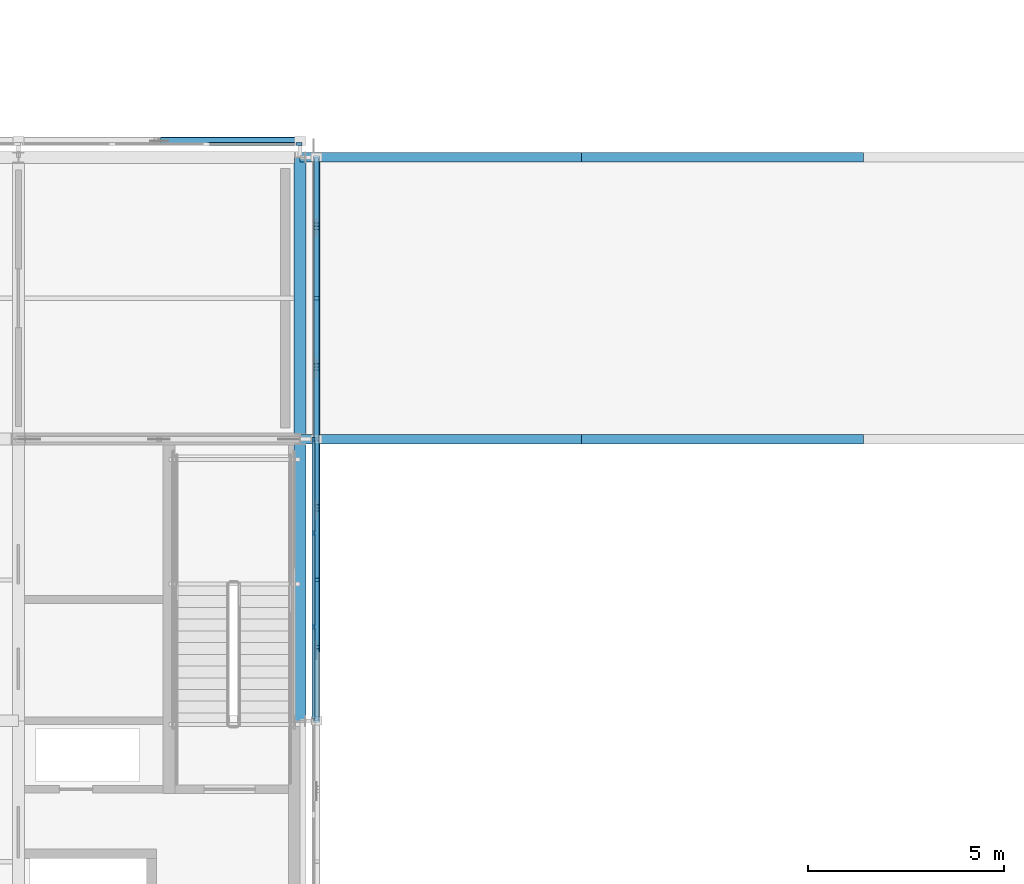
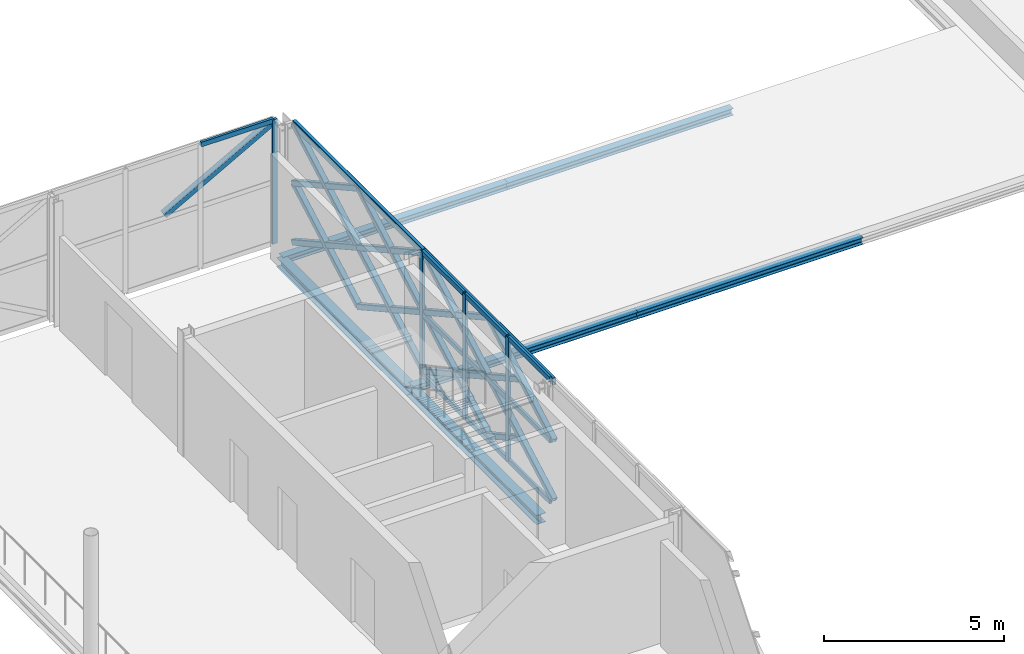
# One storey, part 42 of 103: 39 members, 6 beams, 2 elements without a shape of their own.
"""IFC4 building model written with IfcOpenShell, lengths in metres."""

from ifc_helpers import new_model, si_unit, direction, frame, origin, origin_2d, place, context, subcontext, project, spatial, rectangle, hollow_rectangle, i_section, extrude, material, material_profile, profile_set, type_object, element, aggregate, save


model = new_model("IFC4")

# Units and contexts
model_context = context("Model", 3, precision=1e-05, world=origin(), true_north=direction((0.0, 1.0)))
body_context = subcontext(model_context, "Body", "Model", "MODEL_VIEW")
ifc_project = project(units=[si_unit("LENGTHUNIT", "METRE"), si_unit("AREAUNIT", "SQUARE_METRE"), si_unit("VOLUMEUNIT", "CUBIC_METRE"), si_unit("PLANEANGLEUNIT", "RADIAN"), si_unit("MASSUNIT", "GRAM", prefix="KILO")], contexts=[model_context])

# Site, building, storey
site_placement = place(None, origin())
site = spatial("IfcSite", under=ifc_project, at=site_placement, CompositionType="ELEMENT")
building_placement = place(site_placement, origin())
building = spatial("IfcBuilding", under=site, at=building_placement, Name="Zlatovets Crest Museum", CompositionType="ELEMENT")
storey_placement = place(building_placement, frame((0.0, 0.0, 12.89990234375)))
storey = spatial("IfcBuildingStorey", under=building, at=storey_placement, Name="L03", CompositionType="ELEMENT", Elevation=12.89990234375)

# Beams
ifc_material_1 = material(Name="Structural steel S355J2", Category="steel")
ifc_material_profile_1 = material_profile(ifc_material_1, i_section(OverallWidth=0.300048828125, OverallDepth=0.31005859375, WebThickness=0.009033203125, FlangeThickness=0.015380859375, FilletRadius=0.027099609375, at=origin_2d()), Name="HEA 320")
ifc_profile_set_1 = profile_set([ifc_material_profile_1], Name="Structural steel S355J2")
beam_type_1 = type_object("IfcBeamType", Name="Beam_B-04", PredefinedType="BEAM", material=ifc_profile_set_1)
beam_1_placement = place(storey_placement, frame((108.0, 14.39990234375, -0.39501953125), z_axis=(0.0, 1.0, 0.0), x_axis=(-1.0, 0.0, 0.0)))
element("IfcBeam", 1, at=beam_1_placement, inside=storey, type_object=beam_type_1, Name="V2 L03 Grid Beam B-04", PredefinedType="BEAM", context=body_context, shape_type="SweptSolid", body=[
    extrude(i_section(OverallWidth=0.300048828125, OverallDepth=0.31005859375, WebThickness=0.009033203125, FlangeThickness=0.015380859375, FilletRadius=0.027099609375, at=origin_2d()), origin(), (0.0, 0.0, 1.0), 7.2001953125),
])
beam_2_placement = place(storey_placement, frame((108.0, 21.60009765625, -0.39501953125), z_axis=(0.0, 1.0, 0.0), x_axis=(-1.0, 0.0, 0.0)))
element("IfcBeam", 2, at=beam_2_placement, inside=storey, type_object=beam_type_1, Name="V2 L03 Grid Beam B-04", PredefinedType="BEAM", context=body_context, shape_type="SweptSolid", body=[
    extrude(i_section(OverallWidth=0.300048828125, OverallDepth=0.31005859375, WebThickness=0.009033203125, FlangeThickness=0.015380859375, FilletRadius=0.027099609375, at=origin_2d()), origin(), (0.0, 0.0, 1.0), 7.199951171875),
])
ifc_material_profile_2 = material_profile(ifc_material_1, i_section(OverallWidth=0.239990234375, OverallDepth=0.22998046875, WebThickness=0.007568359375, FlangeThickness=0.011962890625, FilletRadius=0.02099609375, at=origin_2d()), Name="HEA 240")
ifc_profile_set_2 = profile_set([ifc_material_profile_2], Name="Structural steel S355J2")
beam_type_2 = type_object("IfcBeamType", Name="Beam_B-06", PredefinedType="BEAM", material=ifc_profile_set_2)
for number, where, z_axis, x_axis, name in (
    (3, (108.0, 21.60009765625, -0.3349609375), (1.0, 0.0, 0.0), (0.0, 1.0, 0.0), "Southeast Archive Glazed Link Bridge Roof Edge Beam"),
    (4, (115.199951171875, 21.60009765625, -0.3349609375), (1.0, 0.0, 0.0), (0.0, 1.0, 0.0), "Southeast Archive Glazed Link Bridge Roof Edge Beam"),
    (5, (108.0, 28.800048828125, -0.3349609375), (1.0, 0.0, 0.0), (0.0, 1.0, 0.0), "Southeast Archive Glazed Link Bridge Roof Edge Beam"),
    (6, (115.199951171875, 28.800048828125, -0.3349609375), (1.0, 0.0, 0.0), (0.0, 1.0, 0.0), "Southeast Archive Glazed Link Bridge Roof Edge Beam"),
):
    element("IfcBeam", number, at=place(storey_placement, frame(where, z_axis=z_axis, x_axis=x_axis)), inside=storey, type_object=beam_type_2, Name=name, PredefinedType="BEAM", context=body_context, shape_type="SweptSolid", body=[
        extrude(i_section(OverallWidth=0.239990234375, OverallDepth=0.22998046875, WebThickness=0.007568359375, FlangeThickness=0.011962890625, FilletRadius=0.02099609375, at=origin_2d()), origin(), (0.0, 0.0, 1.0), 7.199951171875),
    ])

# Curtain wall, members
ifc_material_2 = material(Name="Bronze-anodised aluminium and low-E triple glass", Category="aluminium")
curtain_wall_type_1 = type_object("IfcCurtainWallType", Name="CW_CW-V2-L03-M1", PredefinedType="NOTDEFINED", material=ifc_material_2)
curtain_wall_1_placement = place(storey_placement, origin())
curtain_wall_1 = element("IfcCurtainWall", 7, at=curtain_wall_1_placement, inside=storey, type_object=curtain_wall_type_1, Name="V2 L03 Expressed Core Glazed Facade", PredefinedType="NOTDEFINED")
ifc_material_3 = material(Name="Bronze-anodised aluminium EN AW-6060", Category="aluminium")
ifc_material_profile_3 = material_profile(ifc_material_3, rectangle(XDim=0.080078125, YDim=0.159912109375, at=origin_2d()), Name="ALU 80x160")
ifc_profile_set_3 = profile_set([ifc_material_profile_3], Name="Bronze-anodised aluminium EN AW-6060")
member_type_1 = type_object("IfcMemberType", Name="CWMull_M1", PredefinedType="MULLION", material=ifc_profile_set_3)
member_1_placement = place(storey_placement, frame((108.340087890625, 16.800048828125, 0.0), z_axis=(0.0, 0.0, 1.0), x_axis=(-1.0, 0.0, 0.0)))
member_1 = element("IfcMember", 8, at=member_1_placement, type_object=member_type_1, Name="CW-V2-L03-M1 mullion 2", PredefinedType="MULLION", context=body_context, shape_type="SweptSolid", body=[
    extrude(rectangle(XDim=0.080078125, YDim=0.159912109375, at=origin_2d()), origin(), (0.0, 0.0, 1.0), 4.2001953125),
])
member_2_placement = place(storey_placement, frame((108.340087890625, 19.199951171875, 0.0), z_axis=(0.0, 0.0, 1.0), x_axis=(-1.0, 0.0, 0.0)))
member_2 = element("IfcMember", 9, at=member_2_placement, type_object=member_type_1, Name="CW-V2-L03-M1 mullion 3", PredefinedType="MULLION", context=body_context, shape_type="SweptSolid", body=[
    extrude(rectangle(XDim=0.080078125, YDim=0.159912109375, at=origin_2d()), origin(), (0.0, 0.0, 1.0), 4.2001953125),
])
member_3_placement = place(storey_placement, frame((108.340087890625, 21.570068359375, 0.0), z_axis=(0.0, 0.0, 1.0), x_axis=(-1.0, 0.0, 0.0)))
member_3 = element("IfcMember", 10, at=member_3_placement, type_object=member_type_1, Name="CW-V2-L03-M1 mullion 4", PredefinedType="MULLION", context=body_context, shape_type="SweptSolid", body=[
    extrude(rectangle(XDim=0.080078125, YDim=0.159912109375, at=origin_2d()), origin(), (0.0, 0.0, 1.0), 4.2001953125),
])

# Curtain wall, member
curtain_wall_type_2 = type_object("IfcCurtainWallType", Name="CW_CW-V2-L03-M3", PredefinedType="NOTDEFINED", material=ifc_material_2)
curtain_wall_2_placement = place(storey_placement, origin())
curtain_wall_2 = element("IfcCurtainWall", 11, at=curtain_wall_2_placement, inside=storey, type_object=curtain_wall_type_2, Name="V2 L03 Secession Foyer Clear Curtain Wall", PredefinedType="NOTDEFINED")
member_4_placement = place(storey_placement, frame((107.969970703125, 29.139892578125, 0.0), z_axis=(0.0, 0.0, 1.0), x_axis=(0.0, -1.0, 0.0)))
member_4 = element("IfcMember", 12, at=member_4_placement, type_object=member_type_1, Name="CW-V2-L03-M3 mullion 1", PredefinedType="MULLION", context=body_context, shape_type="SweptSolid", body=[
    extrude(rectangle(XDim=0.080078125, YDim=0.159912109375, at=origin_2d()), origin(), (0.0, 0.0, 1.0), 4.2001953125),
])

# Member
ifc_material_profile_4 = material_profile(ifc_material_3, rectangle(XDim=0.080078125, YDim=0.159912109375, at=origin_2d()), Name="ALU 80x160")
ifc_profile_set_4 = profile_set([ifc_material_profile_4], Name="Bronze-anodised aluminium EN AW-6060")
member_type_2 = type_object("IfcMemberType", Name="CWTrans_T1", PredefinedType="USERDEFINED", material=ifc_profile_set_4)
member_5_placement = place(storey_placement, frame((108.340087890625, 14.4599609375, 0.030029296875), z_axis=(0.0, 1.0, 0.0), x_axis=(-1.0, 0.0, 0.0)))
member_5 = element("IfcMember", 13, at=member_5_placement, type_object=member_type_2, Name="CW-V2-L03-M1 transom 1.1", ObjectType="TRANSOM", PredefinedType="USERDEFINED", context=body_context, shape_type="SweptSolid", body=[
    extrude(rectangle(XDim=0.080078125, YDim=0.159912109375, at=origin_2d()), origin(), (0.0, 0.0, 1.0), 2.31005859375),
])

member_6_placement = place(storey_placement, frame((108.340087890625, 14.4599609375, 2.10009765625), z_axis=(0.0, 1.0, 0.0), x_axis=(-1.0, 0.0, 0.0)))
member_6 = element("IfcMember", 14, at=member_6_placement, type_object=member_type_2, Name="CW-V2-L03-M1 transom 1.2", ObjectType="TRANSOM", PredefinedType="USERDEFINED", context=body_context, shape_type="SweptSolid", body=[
    extrude(rectangle(XDim=0.080078125, YDim=0.159912109375, at=origin_2d()), origin(), (0.0, 0.0, 1.0), 2.31005859375),
])

member_7_placement = place(storey_placement, frame((108.340087890625, 14.4599609375, 4.170166015625), z_axis=(0.0, 1.0, 0.0), x_axis=(-1.0, 0.0, 0.0)))
member_7 = element("IfcMember", 15, at=member_7_placement, type_object=member_type_2, Name="CW-V2-L03-M1 transom 1.3", ObjectType="TRANSOM", PredefinedType="USERDEFINED", context=body_context, shape_type="SweptSolid", body=[
    extrude(rectangle(XDim=0.080078125, YDim=0.159912109375, at=origin_2d()), origin(), (0.0, 0.0, 1.0), 2.31005859375),
])

member_8_placement = place(storey_placement, frame((108.340087890625, 16.830078125, 0.030029296875), z_axis=(0.0, 1.0, 0.0), x_axis=(-1.0, 0.0, 0.0)))
member_8 = element("IfcMember", 16, at=member_8_placement, type_object=member_type_2, Name="CW-V2-L03-M1 transom 2.1", ObjectType="TRANSOM", PredefinedType="USERDEFINED", context=body_context, shape_type="SweptSolid", body=[
    extrude(rectangle(XDim=0.080078125, YDim=0.159912109375, at=origin_2d()), origin(), (0.0, 0.0, 1.0), 2.33984375),
])

member_9_placement = place(storey_placement, frame((108.340087890625, 16.830078125, 2.10009765625), z_axis=(0.0, 1.0, 0.0), x_axis=(-1.0, 0.0, 0.0)))
member_9 = element("IfcMember", 17, at=member_9_placement, type_object=member_type_2, Name="CW-V2-L03-M1 transom 2.2", ObjectType="TRANSOM", PredefinedType="USERDEFINED", context=body_context, shape_type="SweptSolid", body=[
    extrude(rectangle(XDim=0.080078125, YDim=0.159912109375, at=origin_2d()), origin(), (0.0, 0.0, 1.0), 2.33984375),
])

member_10_placement = place(storey_placement, frame((108.340087890625, 16.830078125, 4.170166015625), z_axis=(0.0, 1.0, 0.0), x_axis=(-1.0, 0.0, 0.0)))
member_10 = element("IfcMember", 18, at=member_10_placement, type_object=member_type_2, Name="CW-V2-L03-M1 transom 2.3", ObjectType="TRANSOM", PredefinedType="USERDEFINED", context=body_context, shape_type="SweptSolid", body=[
    extrude(rectangle(XDim=0.080078125, YDim=0.159912109375, at=origin_2d()), origin(), (0.0, 0.0, 1.0), 2.33984375),
])

member_11_placement = place(storey_placement, frame((108.340087890625, 19.22998046875, 0.030029296875), z_axis=(0.0, 1.0, 0.0), x_axis=(-1.0, 0.0, 0.0)))
member_11 = element("IfcMember", 19, at=member_11_placement, type_object=member_type_2, Name="CW-V2-L03-M1 transom 3.1", ObjectType="TRANSOM", PredefinedType="USERDEFINED", context=body_context, shape_type="SweptSolid", body=[
    extrude(rectangle(XDim=0.080078125, YDim=0.159912109375, at=origin_2d()), origin(), (0.0, 0.0, 1.0), 2.31005859375),
])

member_12_placement = place(storey_placement, frame((108.340087890625, 19.22998046875, 2.10009765625), z_axis=(0.0, 1.0, 0.0), x_axis=(-1.0, 0.0, 0.0)))
member_12 = element("IfcMember", 20, at=member_12_placement, type_object=member_type_2, Name="CW-V2-L03-M1 transom 3.2", ObjectType="TRANSOM", PredefinedType="USERDEFINED", context=body_context, shape_type="SweptSolid", body=[
    extrude(rectangle(XDim=0.080078125, YDim=0.159912109375, at=origin_2d()), origin(), (0.0, 0.0, 1.0), 2.31005859375),
])

member_13_placement = place(storey_placement, frame((108.340087890625, 19.22998046875, 4.170166015625), z_axis=(0.0, 1.0, 0.0), x_axis=(-1.0, 0.0, 0.0)))
member_13 = element("IfcMember", 21, at=member_13_placement, type_object=member_type_2, Name="CW-V2-L03-M1 transom 3.3", ObjectType="TRANSOM", PredefinedType="USERDEFINED", context=body_context, shape_type="SweptSolid", body=[
    extrude(rectangle(XDim=0.080078125, YDim=0.159912109375, at=origin_2d()), origin(), (0.0, 0.0, 1.0), 2.31005859375),
])

aggregate(curtain_wall_1, [member_1, member_2, member_3, member_5, member_6, member_7, member_8, member_9, member_10, member_11, member_12, member_13])

member_14_placement = place(storey_placement, frame((107.93994140625, 29.139892578125, 4.170166015625), z_axis=(-1.0, 0.0, 0.0), x_axis=(0.0, -1.0, 0.0)))
member_14 = element("IfcMember", 22, at=member_14_placement, type_object=member_type_2, Name="CW-V2-L03-M3 transom 1.3", ObjectType="TRANSOM", PredefinedType="USERDEFINED", context=body_context, shape_type="SweptSolid", body=[
    extrude(rectangle(XDim=0.080078125, YDim=0.159912109375, at=origin_2d()), origin(), (0.0, 0.0, 1.0), 2.31005859375),
])

aggregate(curtain_wall_2, [member_4, member_14])

# Members
ifc_material_4 = material(Name="Weathering bronze-steel S355J2W", Category="steel")
ifc_material_profile_5 = material_profile(ifc_material_4, hollow_rectangle(XDim=0.179931640625, YDim=0.179931640625, WallThickness=0.010009765625, InnerFilletRadius=0.010009765625, OuterFilletRadius=0.02001953125, at=origin_2d()), Name="SHS 180x180x10.0")
ifc_profile_set_5 = profile_set([ifc_material_profile_5], Name="Weathering bronze-steel S355J2W")
member_type_3 = type_object("IfcMemberType", Name="Lattice_XL-01", PredefinedType="BRACE", material=ifc_profile_set_5)
member_15_placement = place(storey_placement, frame((108.419921875, 14.39990234375, 0.10009765625), z_axis=(0.0, 0.874162868644, 0.485632864501), x_axis=(-1.0, 0.0, 0.0)))
element("IfcMember", 23, at=member_15_placement, inside=storey, type_object=member_type_3, Name="Continuous Bronze Lattice Diagonal", PredefinedType="BRACE", context=body_context, shape_type="SweptSolid", body=[
    extrude(hollow_rectangle(XDim=0.179931640625, YDim=0.179931640625, WallThickness=0.010009765625, InnerFilletRadius=0.010009765625, OuterFilletRadius=0.02001953125, at=origin_2d()), origin(), (0.0, 0.0, 1.0), 4.118408203125),
])
member_16_placement = place(storey_placement, frame((108.419921875, 16.282958984375, 1.053955078125), z_axis=(0.0, 0.874169001841, -0.485621824284), x_axis=(-1.0, 0.0, 0.0)))
element("IfcMember", 24, at=member_16_placement, inside=storey, type_object=member_type_3, Name="Split Crossing Bronze Lattice Diagonal Lower", PredefinedType="BRACE", context=body_context, shape_type="SweptSolid", body=[
    extrude(hollow_rectangle(XDim=0.179931640625, YDim=0.179931640625, WallThickness=0.010009765625, InnerFilletRadius=0.010009765625, OuterFilletRadius=0.02001953125, at=origin_2d()), origin(), (0.0, 0.0, 1.0), 1.964111328125),
])
member_17_placement = place(storey_placement, frame((108.419921875, 18.0, 0.10009765625), z_axis=(0.0, 0.874162868644, 0.485632864501), x_axis=(-1.0, 0.0, 0.0)))
element("IfcMember", 25, at=member_17_placement, inside=storey, type_object=member_type_3, Name="Continuous Bronze Lattice Diagonal", PredefinedType="BRACE", context=body_context, shape_type="SweptSolid", body=[
    extrude(hollow_rectangle(XDim=0.179931640625, YDim=0.179931640625, WallThickness=0.010009765625, InnerFilletRadius=0.010009765625, OuterFilletRadius=0.02001953125, at=origin_2d()), origin(), (0.0, 0.0, 1.0), 4.118408203125),
])
for number, where, z_axis, x_axis, name in (
    (26, (108.419921875, 18.0, 2.10009765625), (0.0, 0.874169001841, -0.485621824284), (-1.0, 0.0, 0.0), "Split Crossing Bronze Lattice Diagonal Upper"),
    (27, (108.419921875, 19.883056640625, 1.053955078125), (0.0, 0.874169001841, -0.485621824284), (-1.0, 0.0, 0.0), "Split Crossing Bronze Lattice Diagonal Lower"),
):
    element("IfcMember", number, at=place(storey_placement, frame(where, z_axis=z_axis, x_axis=x_axis)), inside=storey, type_object=member_type_3, Name=name, PredefinedType="BRACE", context=body_context, shape_type="SweptSolid", body=[
        extrude(hollow_rectangle(XDim=0.179931640625, YDim=0.179931640625, WallThickness=0.010009765625, InnerFilletRadius=0.010009765625, OuterFilletRadius=0.02001953125, at=origin_2d()), origin(), (0.0, 0.0, 1.0), 1.964111328125),
    ])
member_18_placement = place(storey_placement, frame((108.419921875, 14.39990234375, 2.10009765625), z_axis=(0.0, 0.874162868644, 0.485632864501), x_axis=(-1.0, 0.0, 0.0)))
element("IfcMember", 28, at=member_18_placement, inside=storey, type_object=member_type_3, Name="Continuous Bronze Lattice Diagonal", PredefinedType="BRACE", context=body_context, shape_type="SweptSolid", body=[
    extrude(hollow_rectangle(XDim=0.179931640625, YDim=0.179931640625, WallThickness=0.010009765625, InnerFilletRadius=0.010009765625, OuterFilletRadius=0.02001953125, at=origin_2d()), origin(), (0.0, 0.0, 1.0), 4.118408203125),
])
member_19_placement = place(storey_placement, frame((108.419921875, 16.282958984375, 3.053955078125), z_axis=(0.0, 0.874169001841, -0.485621824284), x_axis=(-1.0, 0.0, 0.0)))
element("IfcMember", 29, at=member_19_placement, inside=storey, type_object=member_type_3, Name="Split Crossing Bronze Lattice Diagonal Lower", PredefinedType="BRACE", context=body_context, shape_type="SweptSolid", body=[
    extrude(hollow_rectangle(XDim=0.179931640625, YDim=0.179931640625, WallThickness=0.010009765625, InnerFilletRadius=0.010009765625, OuterFilletRadius=0.02001953125, at=origin_2d()), origin(), (0.0, 0.0, 1.0), 1.964111328125),
])
member_20_placement = place(storey_placement, frame((108.419921875, 18.0, 2.10009765625), z_axis=(0.0, 0.874162868644, 0.485632864501), x_axis=(-1.0, 0.0, 0.0)))
element("IfcMember", 30, at=member_20_placement, inside=storey, type_object=member_type_3, Name="Continuous Bronze Lattice Diagonal", PredefinedType="BRACE", context=body_context, shape_type="SweptSolid", body=[
    extrude(hollow_rectangle(XDim=0.179931640625, YDim=0.179931640625, WallThickness=0.010009765625, InnerFilletRadius=0.010009765625, OuterFilletRadius=0.02001953125, at=origin_2d()), origin(), (0.0, 0.0, 1.0), 4.118408203125),
])
for number, where, z_axis, x_axis, name in (
    (31, (108.419921875, 18.0, 4.10009765625), (0.0, 0.874169001841, -0.485621824284), (-1.0, 0.0, 0.0), "Split Crossing Bronze Lattice Diagonal Upper"),
    (32, (108.419921875, 19.883056640625, 3.053955078125), (0.0, 0.874169001841, -0.485621824284), (-1.0, 0.0, 0.0), "Split Crossing Bronze Lattice Diagonal Lower"),
):
    element("IfcMember", number, at=place(storey_placement, frame(where, z_axis=z_axis, x_axis=x_axis)), inside=storey, type_object=member_type_3, Name=name, PredefinedType="BRACE", context=body_context, shape_type="SweptSolid", body=[
        extrude(hollow_rectangle(XDim=0.179931640625, YDim=0.179931640625, WallThickness=0.010009765625, InnerFilletRadius=0.010009765625, OuterFilletRadius=0.02001953125, at=origin_2d()), origin(), (0.0, 0.0, 1.0), 1.964111328125),
    ])
member_21_placement = place(storey_placement, frame((108.419921875, 21.60009765625, 0.10009765625), z_axis=(0.0, 0.874148886685, 0.485658031857), x_axis=(-1.0, 0.0, 0.0)))
element("IfcMember", 33, at=member_21_placement, inside=storey, type_object=member_type_3, Name="Continuous Bronze Lattice Diagonal", PredefinedType="BRACE", context=body_context, shape_type="SweptSolid", body=[
    extrude(hollow_rectangle(XDim=0.179931640625, YDim=0.179931640625, WallThickness=0.010009765625, InnerFilletRadius=0.010009765625, OuterFilletRadius=0.02001953125, at=origin_2d()), origin(), (0.0, 0.0, 1.0), 4.1181640625),
])
member_22_placement = place(storey_placement, frame((108.419921875, 21.60009765625, 2.10009765625), z_axis=(0.0, 0.874139684676, -0.48567459443), x_axis=(-1.0, 0.0, 0.0)))
element("IfcMember", 34, at=member_22_placement, inside=storey, type_object=member_type_3, Name="Split Crossing Bronze Lattice Diagonal Upper", PredefinedType="BRACE", context=body_context, shape_type="SweptSolid", body=[
    extrude(hollow_rectangle(XDim=0.179931640625, YDim=0.179931640625, WallThickness=0.010009765625, InnerFilletRadius=0.010009765625, OuterFilletRadius=0.02001953125, at=origin_2d()), origin(), (0.0, 0.0, 1.0), 1.9638671875),
])
member_23_placement = place(storey_placement, frame((108.419921875, 23.48291015625, 1.053955078125), z_axis=(0.0, 0.874169001841, -0.485621824284), x_axis=(-1.0, 0.0, 0.0)))
element("IfcMember", 35, at=member_23_placement, inside=storey, type_object=member_type_3, Name="Split Crossing Bronze Lattice Diagonal Lower", PredefinedType="BRACE", context=body_context, shape_type="SweptSolid", body=[
    extrude(hollow_rectangle(XDim=0.179931640625, YDim=0.179931640625, WallThickness=0.010009765625, InnerFilletRadius=0.010009765625, OuterFilletRadius=0.02001953125, at=origin_2d()), origin(), (0.0, 0.0, 1.0), 1.964111328125),
])
member_24_placement = place(storey_placement, frame((108.419921875, 25.199951171875, 0.10009765625), z_axis=(0.0, 0.874162868644, 0.485632864501), x_axis=(-1.0, 0.0, 0.0)))
element("IfcMember", 36, at=member_24_placement, inside=storey, type_object=member_type_3, Name="Continuous Bronze Lattice Diagonal", PredefinedType="BRACE", context=body_context, shape_type="SweptSolid", body=[
    extrude(hollow_rectangle(XDim=0.179931640625, YDim=0.179931640625, WallThickness=0.010009765625, InnerFilletRadius=0.010009765625, OuterFilletRadius=0.02001953125, at=origin_2d()), origin(), (0.0, 0.0, 1.0), 4.118408203125),
])
for number, where, z_axis, x_axis, name in (
    (37, (108.419921875, 25.199951171875, 2.10009765625), (0.0, 0.874169001841, -0.485621824284), (-1.0, 0.0, 0.0), "Split Crossing Bronze Lattice Diagonal Upper"),
    (38, (108.419921875, 27.0830078125, 1.053955078125), (0.0, 0.874169001841, -0.485621824284), (-1.0, 0.0, 0.0), "Split Crossing Bronze Lattice Diagonal Lower"),
):
    element("IfcMember", number, at=place(storey_placement, frame(where, z_axis=z_axis, x_axis=x_axis)), inside=storey, type_object=member_type_3, Name=name, PredefinedType="BRACE", context=body_context, shape_type="SweptSolid", body=[
        extrude(hollow_rectangle(XDim=0.179931640625, YDim=0.179931640625, WallThickness=0.010009765625, InnerFilletRadius=0.010009765625, OuterFilletRadius=0.02001953125, at=origin_2d()), origin(), (0.0, 0.0, 1.0), 1.964111328125),
    ])
member_25_placement = place(storey_placement, frame((108.419921875, 21.60009765625, 2.10009765625), z_axis=(0.0, 0.874148886685, 0.485658031857), x_axis=(-1.0, 0.0, 0.0)))
element("IfcMember", 39, at=member_25_placement, inside=storey, type_object=member_type_3, Name="Continuous Bronze Lattice Diagonal", PredefinedType="BRACE", context=body_context, shape_type="SweptSolid", body=[
    extrude(hollow_rectangle(XDim=0.179931640625, YDim=0.179931640625, WallThickness=0.010009765625, InnerFilletRadius=0.010009765625, OuterFilletRadius=0.02001953125, at=origin_2d()), origin(), (0.0, 0.0, 1.0), 4.1181640625),
])
member_26_placement = place(storey_placement, frame((108.419921875, 21.60009765625, 4.10009765625), z_axis=(0.0, 0.874139684676, -0.48567459443), x_axis=(-1.0, 0.0, 0.0)))
element("IfcMember", 40, at=member_26_placement, inside=storey, type_object=member_type_3, Name="Split Crossing Bronze Lattice Diagonal Upper", PredefinedType="BRACE", context=body_context, shape_type="SweptSolid", body=[
    extrude(hollow_rectangle(XDim=0.179931640625, YDim=0.179931640625, WallThickness=0.010009765625, InnerFilletRadius=0.010009765625, OuterFilletRadius=0.02001953125, at=origin_2d()), origin(), (0.0, 0.0, 1.0), 1.9638671875),
])
member_27_placement = place(storey_placement, frame((108.419921875, 23.48291015625, 3.053955078125), z_axis=(0.0, 0.874169001841, -0.485621824284), x_axis=(-1.0, 0.0, 0.0)))
element("IfcMember", 41, at=member_27_placement, inside=storey, type_object=member_type_3, Name="Split Crossing Bronze Lattice Diagonal Lower", PredefinedType="BRACE", context=body_context, shape_type="SweptSolid", body=[
    extrude(hollow_rectangle(XDim=0.179931640625, YDim=0.179931640625, WallThickness=0.010009765625, InnerFilletRadius=0.010009765625, OuterFilletRadius=0.02001953125, at=origin_2d()), origin(), (0.0, 0.0, 1.0), 1.964111328125),
])
member_28_placement = place(storey_placement, frame((108.419921875, 25.199951171875, 2.10009765625), z_axis=(0.0, 0.874162868644, 0.485632864501), x_axis=(-1.0, 0.0, 0.0)))
element("IfcMember", 42, at=member_28_placement, inside=storey, type_object=member_type_3, Name="Continuous Bronze Lattice Diagonal", PredefinedType="BRACE", context=body_context, shape_type="SweptSolid", body=[
    extrude(hollow_rectangle(XDim=0.179931640625, YDim=0.179931640625, WallThickness=0.010009765625, InnerFilletRadius=0.010009765625, OuterFilletRadius=0.02001953125, at=origin_2d()), origin(), (0.0, 0.0, 1.0), 4.118408203125),
])
for number, where, z_axis, x_axis, name in (
    (43, (108.419921875, 25.199951171875, 4.10009765625), (0.0, 0.874169001841, -0.485621824284), (-1.0, 0.0, 0.0), "Split Crossing Bronze Lattice Diagonal Upper"),
    (44, (108.419921875, 27.0830078125, 3.053955078125), (0.0, 0.874169001841, -0.485621824284), (-1.0, 0.0, 0.0), "Split Crossing Bronze Lattice Diagonal Lower"),
):
    element("IfcMember", number, at=place(storey_placement, frame(where, z_axis=z_axis, x_axis=x_axis)), inside=storey, type_object=member_type_3, Name=name, PredefinedType="BRACE", context=body_context, shape_type="SweptSolid", body=[
        extrude(hollow_rectangle(XDim=0.179931640625, YDim=0.179931640625, WallThickness=0.010009765625, InnerFilletRadius=0.010009765625, OuterFilletRadius=0.02001953125, at=origin_2d()), origin(), (0.0, 0.0, 1.0), 1.964111328125),
    ])
ifc_material_profile_6 = material_profile(ifc_material_4, hollow_rectangle(XDim=0.199951171875, YDim=0.199951171875, WallThickness=0.012451171875, InnerFilletRadius=0.012451171875, OuterFilletRadius=0.02490234375, at=origin_2d()), Name="SHS 200x200x12.5")
ifc_profile_set_6 = profile_set([ifc_material_profile_6], Name="Weathering bronze-steel S355J2W")
member_type_4 = type_object("IfcMemberType", Name="Lattice_XL-02", PredefinedType="BRACE", material=ifc_profile_set_6)
member_29_placement = place(storey_placement, frame((108.0, 29.219970703125, 4.10009765625), z_axis=(-0.874165862873, 0.0, -0.485627474703), x_axis=(0.0, -1.0, 0.0)))
element("IfcMember", 45, at=member_29_placement, inside=storey, type_object=member_type_4, Name="Split Crossing Bronze Lattice Diagonal Upper", PredefinedType="BRACE", context=body_context, shape_type="SweptSolid", body=[
    extrude(hollow_rectangle(XDim=0.199951171875, YDim=0.199951171875, WallThickness=0.012451171875, InnerFilletRadius=0.012451171875, OuterFilletRadius=0.02490234375, at=origin_2d()), origin(), (0.0, 0.0, 1.0), 4.0234375),
])
ifc_material_profile_7 = material_profile(ifc_material_4, hollow_rectangle(XDim=0.1201171875, YDim=0.239990234375, WallThickness=0.010009765625, InnerFilletRadius=0.010009765625, OuterFilletRadius=0.02001953125, at=origin_2d()), Name="RHS 120x240x10.0")
ifc_profile_set_7 = profile_set([ifc_material_profile_7], Name="Weathering bronze-steel S355J2W")
member_type_5 = type_object("IfcMemberType", Name="Lattice_XL-04", PredefinedType="CHORD", material=ifc_profile_set_7)
member_30_placement = place(storey_placement, frame((108.419921875, 14.39990234375, 4.10009765625), z_axis=(0.0, 1.0, 0.0), x_axis=(-1.0, 0.0, 0.0)))
element("IfcMember", 46, at=member_30_placement, inside=storey, type_object=member_type_5, Name="Art Nouveau Woven Cage Collector Ring Chord", PredefinedType="CHORD", context=body_context, shape_type="SweptSolid", body=[
    extrude(hollow_rectangle(XDim=0.1201171875, YDim=0.239990234375, WallThickness=0.010009765625, InnerFilletRadius=0.010009765625, OuterFilletRadius=0.02001953125, at=origin_2d()), origin(), (0.0, 0.0, 1.0), 7.2001953125),
])
member_31_placement = place(storey_placement, frame((108.419921875, 21.60009765625, 4.10009765625), z_axis=(0.0, 1.0, 0.0), x_axis=(-1.0, 0.0, 0.0)))
element("IfcMember", 47, at=member_31_placement, inside=storey, type_object=member_type_5, Name="Art Nouveau Woven Cage Collector Ring Chord", PredefinedType="CHORD", context=body_context, shape_type="SweptSolid", body=[
    extrude(hollow_rectangle(XDim=0.1201171875, YDim=0.239990234375, WallThickness=0.010009765625, InnerFilletRadius=0.010009765625, OuterFilletRadius=0.02001953125, at=origin_2d()), origin(), (0.0, 0.0, 1.0), 7.199951171875),
])

save(model, "model.ifc")
